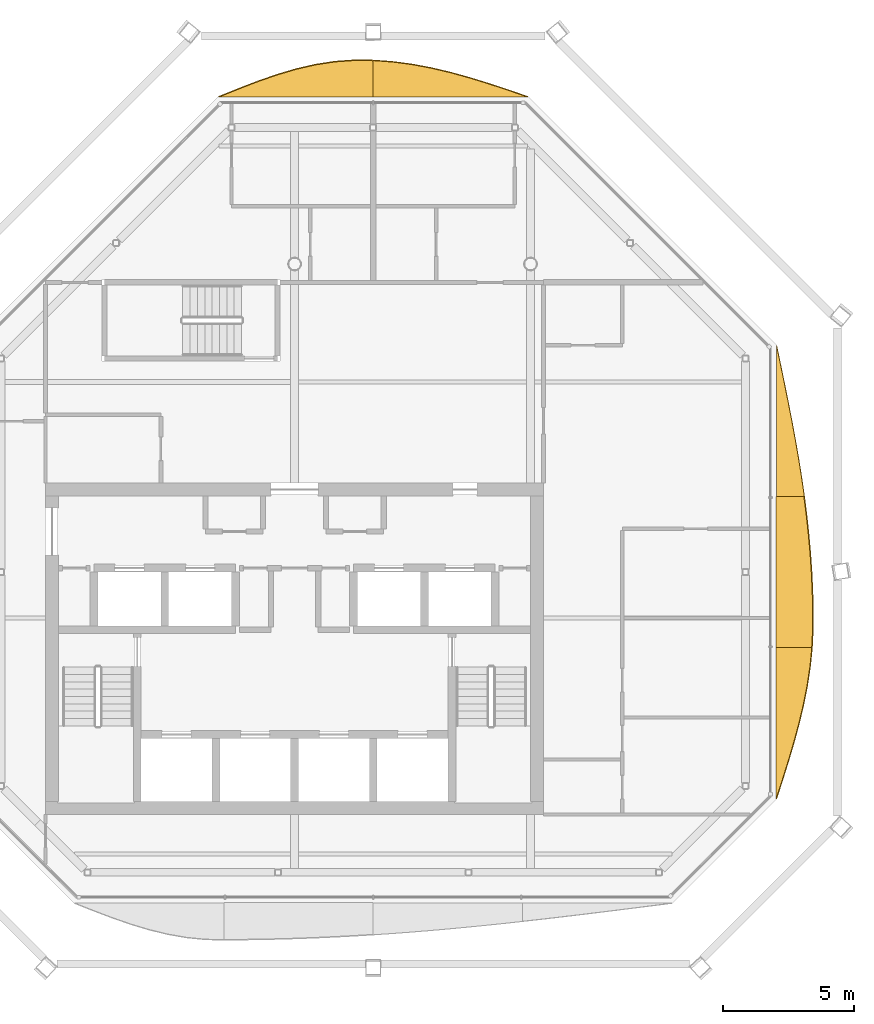
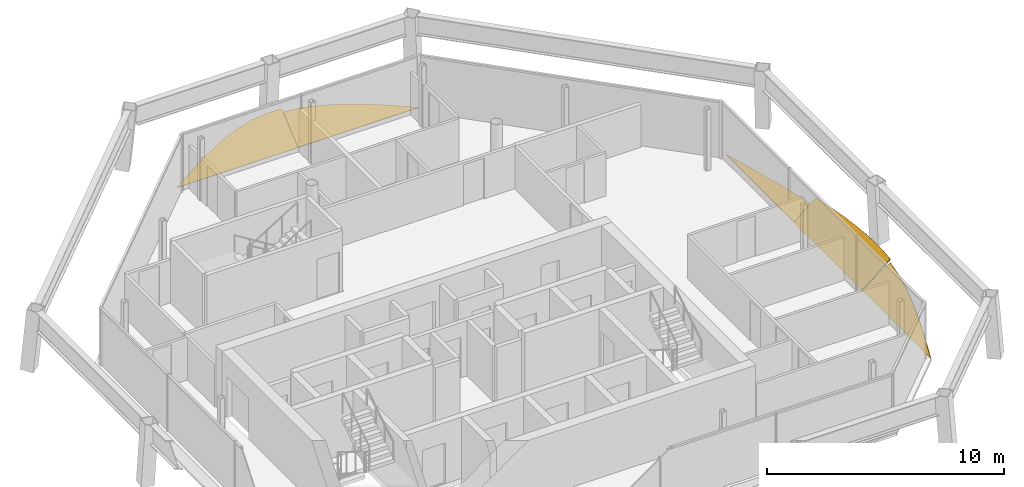
# One storey, part 14 of 14: 5 shading devices.
"""IFC4 building model written with IfcOpenShell, lengths in metres."""

from ifc_helpers import new_model, si_unit, direction, frame, origin, place, context, subcontext, project, spatial, polyline, outline, extrude, material, layer, layer_set, type_object, element, save


model = new_model("IFC4")

# Units and contexts
model_context = context("Model", 3, precision=1e-05, world=origin(), true_north=direction((0.0, 1.0)))
body_context = subcontext(model_context, "Body", "Model", "MODEL_VIEW")
ifc_project = project(units=[si_unit("LENGTHUNIT", "METRE"), si_unit("AREAUNIT", "SQUARE_METRE"), si_unit("VOLUMEUNIT", "CUBIC_METRE"), si_unit("PLANEANGLEUNIT", "RADIAN"), si_unit("MASSUNIT", "GRAM", prefix="KILO")], contexts=[model_context])

# Site, building, storey
site_placement = place(None, origin())
site = spatial("IfcSite", under=ifc_project, at=site_placement, CompositionType="ELEMENT")
building_placement = place(site_placement, origin())
building = spatial("IfcBuilding", under=site, at=building_placement, Name="Tskaro Facet Tower", CompositionType="ELEMENT")
storey_placement = place(building_placement, frame((0.0, 0.0, 294.14990234375)))
storey = spatial("IfcBuildingStorey", under=building, at=storey_placement, Name="L79", CompositionType="ELEMENT", Elevation=294.14990234375)

# Shading devices
ifc_material = material(Name="Bronze anodised aluminium 6063-T6", Category="aluminium")
ifc_layer = layer(ifc_material, 0.06005859375, Name="Bronze anodised aluminium 6063-T6")
ifc_layer_set = layer_set([ifc_layer], Name="Bronze anodised aluminium 6063-T6")
shading_device_type = type_object("IfcShadingDeviceType", Name="Bronze sun blade (FN1)", PredefinedType="USERDEFINED", material=ifc_layer_set)
shading_device_1_placement = place(storey_placement, frame((18.365478515625, -11.39990234375, 0.04931640625), z_axis=(-0.573488489303, -2.7801354e-05, 0.819213617968), x_axis=(-1.5943756e-05, 0.999999999614, 2.2775247e-05)))
element("IfcShadingDevice", 1, at=shading_device_1_placement, inside=storey, type_object=shading_device_type, Name="Fin blade east 1", ObjectType="FIN", PredefinedType="USERDEFINED", context=body_context, shape_type="SweptSolid", body=[
    extrude(outline(polyline([(0.0, 0.0), (5.766601560271454, 0.0), (5.766601564913203, -1.6621647706948866), (5.045654295753624, -1.5729612905515191), (4.324951170594304, -1.4397360990001582), (3.6040039054012807, -1.2668893642950798), (2.883300776972374, -1.05848123952752), (2.162353515173212, -0.8207519806052147), (1.4416503895707606, -0.5602618297337025), (0.7207031239134536, -0.28399106463331125), (0.0, 0.0)])), origin(), (0.0, 0.0, -1.0), 0.06005859375),
])
shading_device_2_placement = place(storey_placement, frame((18.361328125, -5.63330078125, 0.046142578125), z_axis=(-0.642726048211, 5.592028e-06, 0.766096095095), x_axis=(3.594142e-06, 0.999999999984, -4.284031e-06)))
element("IfcShadingDevice", 2, at=shading_device_2_placement, inside=storey, type_object=shading_device_type, Name="Fin blade east 2", ObjectType="FIN", PredefinedType="USERDEFINED", context=body_context, shape_type="SweptSolid", body=[
    extrude(outline(polyline([(0.0, 0.0), (5.766601562409837, 0.0), (5.766601562751541, -1.3865317836467952), (5.045898437187535, -1.5064423214881217), (4.324951171894929, -1.6086908941201532), (3.6042480465371916, -1.6925594804653645), (2.883300781415526, -1.7568593128288819), (2.162353515568407, -1.8008723701331797), (1.4416503899576902, -1.8239107509410863), (1.0148925785809222, -1.8275674129467685), (0.7207031255582985, -1.8234098846833842), (-1.0984469274582533e-10, -1.7773030034272175), (0.0, 0.0)])), origin(), (0.0, 0.0, -1.0), 0.06005859375),
])
shading_device_3_placement = place(storey_placement, frame((18.37939453125, 0.13330078125, 0.056396484375), z_axis=(-0.342137623683, -1.2011676e-05, 0.939649853039), x_axis=(-4.109646e-06, 0.999999999928, 1.1286769e-05)))
element("IfcShadingDevice", 3, at=shading_device_3_placement, inside=storey, type_object=shading_device_type, Name="Fin blade east 3", ObjectType="FIN", PredefinedType="USERDEFINED", context=body_context, shape_type="SweptSolid", body=[
    extrude(outline(polyline([(0.0, 0.0), (5.766601562083996, -4.8845015171256284e-21), (5.045898439084485, -0.1601087096796941), (4.324951171461079, -0.31827745366930554), (3.6042480474870597, -0.4729003850519038), (2.8833007819135505, -0.6220375381374063), (2.1625976547471604, -0.7638324769290181), (1.4416503907579137, -0.8969087612122276), (0.7209472634379706, -1.0194723023060828), (-6.904174778817138e-10, -1.1304595963917783), (0.0, 0.0)])), origin(), (0.0, 0.0, -1.0), 0.06005859375),
])
shading_device_4_placement = place(storey_placement, frame((8.89990234375, 15.365478515625, 0.04931640625), z_axis=(3.299382e-06, -0.573511891286, 0.819197235434), x_axis=(-0.999999999995, -1.892235e-06, 2.702845e-06)))
element("IfcShadingDevice", 4, at=shading_device_4_placement, inside=storey, type_object=shading_device_type, Name="Fin blade north 1", ObjectType="FIN", PredefinedType="USERDEFINED", context=body_context, shape_type="SweptSolid", body=[
    extrude(outline(polyline([(0.0, 0.0), (5.899902343717887, 0.0), (5.899902343775318, -1.69636610129461), (5.162353515403348, -1.6313435630395283), (4.424804687701955, -1.5128189523259363), (3.6875000001075326, -1.3447124001173227), (2.949951171830867, -1.1327841393119737), (2.212402343891572, -0.8836744358865176), (1.4748535154300861, -0.6058436037477439), (0.7373046873685688, -0.3078319925805514), (0.0, 0.0)])), origin(), (0.0, 0.0, -1.0), 0.06005859375),
])
shading_device_5_placement = place(storey_placement, frame((3.0, 15.361328125, 0.046142578125), z_axis=(-2.5158309e-05, -0.642713034611, 0.766107012439), x_axis=(-0.999999999684, 1.6169573e-05, -1.9273957e-05)))
element("IfcShadingDevice", 5, at=shading_device_5_placement, inside=storey, type_object=shading_device_type, Name="Fin blade north 2", ObjectType="FIN", PredefinedType="USERDEFINED", context=body_context, shape_type="SweptSolid", body=[
    extrude(outline(polyline([(0.0, 0.0), (5.899902341882857, 0.0), (5.162597656965131, -0.38870751711095586), (4.425048826809671, -0.7597229462552071), (3.687499999271537, -1.0959153130007275), (2.9499511730857804, -1.3820303063120476), (2.212402342440014, -1.6048773163951462), (1.4750976533899367, -1.7540775860770235), (0.7375488257271581, -1.823222848305561), (0.49560546993470683, -1.82756741411623), (-3.7129291571020152e-09, -1.8140328541153006), (0.0, 0.0)])), origin(), (0.0, 0.0, -1.0), 0.06005859375),
])

save(model, "model.ifc")
